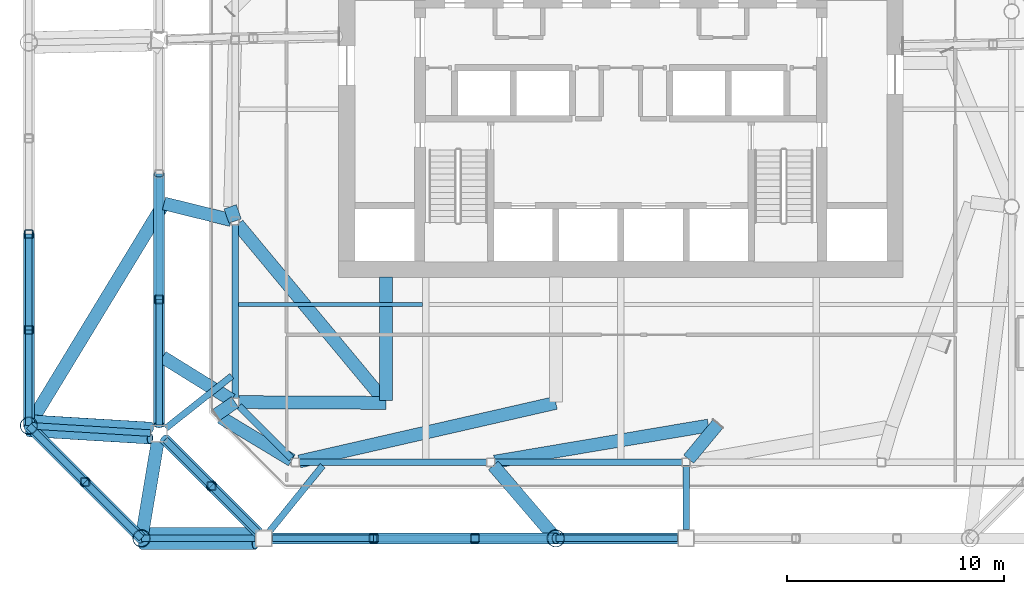
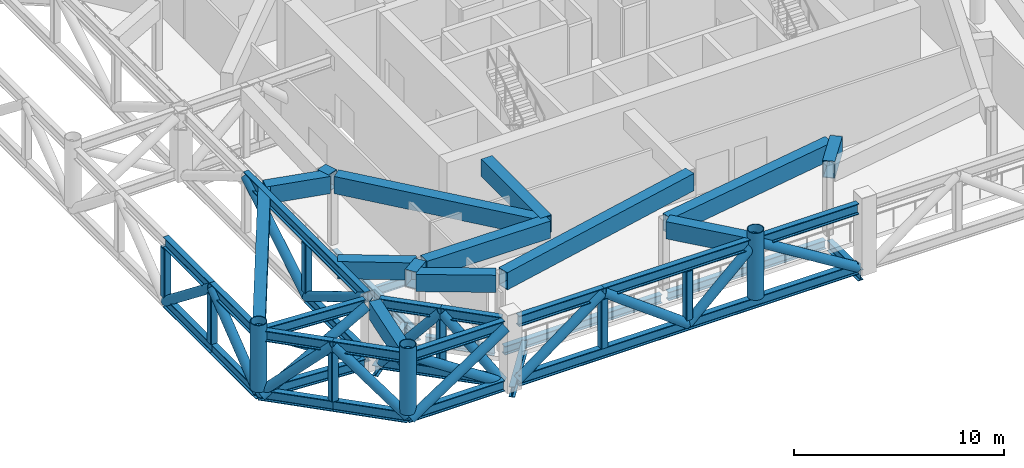
# One storey, part 3 of 21: 44 beams, 26 members.
"""IFC4 building model written with IfcOpenShell, lengths in metres."""

from ifc_helpers import new_model, si_unit, direction, frame, origin, origin_2d, place, context, subcontext, project, spatial, hollow_rectangle, hollow_circle, i_section, extrude, material, material_profile, profile_set, type_object, element, save


model = new_model("IFC4")

# Units and contexts
model_context = context("Model", 3, precision=1e-05, world=origin(), true_north=direction((0.0, 1.0)))
body_context = subcontext(model_context, "Body", "Model", "MODEL_VIEW")
ifc_project = project(units=[si_unit("LENGTHUNIT", "METRE"), si_unit("AREAUNIT", "SQUARE_METRE"), si_unit("VOLUMEUNIT", "CUBIC_METRE"), si_unit("PLANEANGLEUNIT", "RADIAN"), si_unit("MASSUNIT", "GRAM", prefix="KILO")], contexts=[model_context])

# Site, building, storey
site_placement = place(None, origin())
site = spatial("IfcSite", under=ifc_project, at=site_placement, CompositionType="ELEMENT")
building_placement = place(site_placement, origin())
building = spatial("IfcBuilding", under=site, at=building_placement, Name="Tskaro Facet Tower", CompositionType="ELEMENT")
storey_placement = place(building_placement, frame((0.0, 0.0, 167.699951171875)))
storey = spatial("IfcBuildingStorey", under=building, at=storey_placement, Name="L41", CompositionType="ELEMENT", Elevation=167.699951171875)

# Beams
ifc_material_1 = material(Name="Steel S355J2", Category="steel")
ifc_material_profile_1 = material_profile(ifc_material_1, hollow_rectangle(XDim=0.60009765625, YDim=1.0, WallThickness=0.0400390625, at=origin_2d()), Name="BOX 600x1000x40")
ifc_profile_set_1 = profile_set([ifc_material_profile_1], Name="Steel S355J2")
beam_type_1 = type_object("IfcBeamType", Name="BOX 600x1000x40 transfer girder", PredefinedType="BEAM", material=ifc_profile_set_1)
beam_1_placement = place(storey_placement, frame((-18.0, -9.0, 3.580078125), z_axis=(0.325384184605, -0.945581901481, 0.0), x_axis=(0.945581901481, 0.325384184605, 0.0)))
element("IfcBeam", 1, at=beam_1_placement, inside=storey, type_object=beam_type_1, Name="BOX 600x1000x40 TG4-4", PredefinedType="BEAM", context=body_context, shape_type="SweptSolid", body=[
    extrude(hollow_rectangle(XDim=0.60009765625, YDim=1.0, WallThickness=0.0400390625, at=origin_2d()), origin(), (0.0, 0.0, 1.0), 0.69482421875),
])
beam_2_placement = place(storey_placement, frame((-18.633056640625, -18.5830078125, 3.580078125), z_axis=(0.827027027027, 0.562162162162, 0.0), x_axis=(-0.562162162162, 0.827027027027, 0.0)))
element("IfcBeam", 2, at=beam_2_placement, inside=storey, type_object=beam_type_1, Name="BOX 600x1000x40 TG4-6", PredefinedType="BEAM", context=body_context, shape_type="SweptSolid", body=[
    extrude(hollow_rectangle(XDim=0.60009765625, YDim=1.0, WallThickness=0.0400390625, at=origin_2d()), origin(), (0.0, 0.0, 1.0), 1.038818359375),
])
beam_3_placement = place(storey_placement, frame((-18.427490234375, -18.70703125, 3.580078125), z_axis=(0.856423417, -0.516274084973, 0.0), x_axis=(0.516274084973, 0.856423417, 0.0)))
element("IfcBeam", 3, at=beam_3_placement, inside=storey, type_object=beam_type_1, Name="BOX 600x1000x40 TG4-7", PredefinedType="BEAM", context=body_context, shape_type="SweptSolid", body=[
    extrude(hollow_rectangle(XDim=0.60009765625, YDim=1.0, WallThickness=0.0400390625, at=origin_2d()), origin(), (0.0, 0.0, 1.0), 3.8134765625),
])
beam_4_placement = place(storey_placement, frame((4.4658203125, -19.00634765625, 3.580078125), z_axis=(-0.638324143551, -0.769767684279, 0.0), x_axis=(0.769767684279, -0.638324143551, 0.0)))
element("IfcBeam", 4, at=beam_4_placement, inside=storey, type_object=beam_type_1, Name="BOX 600x1000x40 TG4-18", PredefinedType="BEAM", context=body_context, shape_type="SweptSolid", body=[
    extrude(hollow_rectangle(XDim=0.60009765625, YDim=1.0, WallThickness=0.0400390625, at=origin_2d()), origin(), (0.0, 0.0, 1.0), 2.106201171875),
])
beam_5_placement = place(storey_placement, frame((4.031982421875, -19.07958984375, 3.580078125), z_axis=(-0.986033382448, -0.16654779704, 0.0), x_axis=(0.16654779704, -0.986033382448, 0.0)))
element("IfcBeam", 5, at=beam_5_placement, inside=storey, type_object=beam_type_1, Name="BOX 600x1000x40 TG4-19", PredefinedType="BEAM", context=body_context, shape_type="SweptSolid", body=[
    extrude(hollow_rectangle(XDim=0.60009765625, YDim=1.0, WallThickness=0.0400390625, at=origin_2d()), origin(), (0.0, 0.0, 1.0), 9.984130859375),
])
beam_6_placement = place(storey_placement, frame((-3.0, -18.032958984375, 3.580078125), z_axis=(-0.974886257594, -0.222703355958, 0.0), x_axis=(0.222703355958, -0.974886257594, 0.0)))
element("IfcBeam", 6, at=beam_6_placement, inside=storey, type_object=beam_type_1, Name="BOX 600x1000x40 TG4-28", PredefinedType="BEAM", context=body_context, shape_type="SweptSolid", body=[
    extrude(hollow_rectangle(XDim=0.60009765625, YDim=1.0, WallThickness=0.0400390625, at=origin_2d()), origin(), (0.0, 0.0, 1.0), 12.1181640625),
])
beam_7_placement = place(storey_placement, frame((-21.11572265625, -15.923095703125, 3.580078125), z_axis=(0.849456750522, -0.52765825019, 0.0), x_axis=(0.52765825019, 0.849456750522, 0.0)))
element("IfcBeam", 7, at=beam_7_placement, inside=storey, type_object=beam_type_1, Name="BOX 600x1000x40 TG4-30", PredefinedType="BEAM", context=body_context, shape_type="SweptSolid", body=[
    extrude(hollow_rectangle(XDim=0.60009765625, YDim=1.0, WallThickness=0.0400390625, at=origin_2d()), origin(), (0.0, 0.0, 1.0), 3.744140625),
])
beam_8_placement = place(storey_placement, frame((-21.049072265625, -8.84521484375, 3.580078125), z_axis=(0.970623178252, -0.240604750245, 0.0), x_axis=(0.240604750245, 0.970623178252, 0.0)))
element("IfcBeam", 8, at=beam_8_placement, inside=storey, type_object=beam_type_1, Name="BOX 600x1000x40 TG4-34", PredefinedType="BEAM", context=body_context, shape_type="SweptSolid", body=[
    extrude(hollow_rectangle(XDim=0.60009765625, YDim=1.0, WallThickness=0.0400390625, at=origin_2d()), origin(), (0.0, 0.0, 1.0), 3.18408203125),
])
beam_9_placement = place(storey_placement, frame((-3.0, -24.27587890625, 3.580078125), z_axis=(-0.650591262878, 0.759428079983, 0.0), x_axis=(-0.759428079983, -0.650591262878, 0.0)))
element("IfcBeam", 9, at=beam_9_placement, inside=storey, type_object=beam_type_1, Name="BOX 600x1000x40 TG4-39", PredefinedType="BEAM", context=body_context, shape_type="SweptSolid", body=[
    extrude(hollow_rectangle(XDim=0.60009765625, YDim=1.0, WallThickness=0.0400390625, at=origin_2d()), origin(), (0.0, 0.0, 1.0), 4.42138671875),
])
beam_10_placement = place(storey_placement, frame((-10.81591796875, -18.032958984375, 3.580078125), z_axis=(-0.999988142839, 0.004869720774, 0.0), x_axis=(-0.004869720774, -0.999988142839, 0.0)))
element("IfcBeam", 10, at=beam_10_placement, inside=storey, type_object=beam_type_1, Name="BOX 600x1000x40 TG4-40", PredefinedType="BEAM", context=body_context, shape_type="SweptSolid", body=[
    extrude(hollow_rectangle(XDim=0.60009765625, YDim=1.0, WallThickness=0.0400390625, at=origin_2d()), origin(), (0.0, 0.0, 1.0), 6.76806640625),
])
beam_11_placement = place(storey_placement, frame((-11.033203125, -17.771484375, 3.580078125), z_axis=(-0.638996740209, 0.769209442221, 0.0), x_axis=(-0.769209442221, -0.638996740209, 0.0)))
element("IfcBeam", 11, at=beam_11_placement, inside=storey, type_object=beam_type_1, Name="BOX 600x1000x40 TG4-41", PredefinedType="BEAM", context=body_context, shape_type="SweptSolid", body=[
    extrude(hollow_rectangle(XDim=0.60009765625, YDim=1.0, WallThickness=0.0400390625, at=origin_2d()), origin(), (0.0, 0.0, 1.0), 10.359130859375),
])
beam_12_placement = place(storey_placement, frame((-10.81591796875, -17.9130859375, 3.580078125), z_axis=(0.0, 1.0, 0.0), x_axis=(-1.0, 0.0, 0.0)))
element("IfcBeam", 12, at=beam_12_placement, inside=storey, type_object=beam_type_1, Name="BOX 600x1000x40 TG4-42", PredefinedType="BEAM", context=body_context, shape_type="SweptSolid", body=[
    extrude(hollow_rectangle(XDim=0.60009765625, YDim=1.0, WallThickness=0.0400390625, at=origin_2d()), origin(), (0.0, 0.0, 1.0), 5.673095703125),
])
beam_13_placement = place(storey_placement, frame((-22.0849609375, -24.27587890625, 3.580078125), z_axis=(0.165304471139, 0.986242582645, 0.0), x_axis=(-0.986242582645, 0.165304471139, 0.0)))
element("IfcBeam", 13, at=beam_13_placement, inside=storey, type_object=beam_type_1, Name="BOX 600x1000x40 TG4-44", PredefinedType="BEAM", context=body_context, shape_type="SweptSolid", body=[
    extrude(hollow_rectangle(XDim=0.60009765625, YDim=1.0, WallThickness=0.0400390625, at=origin_2d()), origin(), (0.0, 0.0, 1.0), 4.503173828125),
])
beam_14_placement = place(storey_placement, frame((-27.27587890625, -19.0849609375, 3.580078125), z_axis=(0.519578588263, 0.854422665089, 0.0), x_axis=(-0.854422665089, 0.519578588263, 0.0)))
element("IfcBeam", 14, at=beam_14_placement, inside=storey, type_object=beam_type_1, Name="BOX 600x1000x40 TG4-49", PredefinedType="BEAM", context=body_context, shape_type="SweptSolid", body=[
    extrude(hollow_rectangle(XDim=0.60009765625, YDim=1.0, WallThickness=0.0400390625, at=origin_2d()), origin(), (0.0, 0.0, 1.0), 11.9443359375),
])

# Members
ifc_material_2 = material(Name="Steel S355J2H", Category="steel")
ifc_material_profile_2 = material_profile(ifc_material_2, hollow_circle(Radius=0.25390625, WallThickness=0.02490234375, at=origin_2d()), Name="CHS 508x25")
ifc_profile_set_2 = profile_set([ifc_material_profile_2], Name="Steel S355J2H")
member_type_1 = type_object("IfcMemberType", Name="CHS 508x25 belt diagonal", PredefinedType="BRACE", material=ifc_profile_set_2)
member_1_placement = place(storey_placement, frame((-16.050048828125, -24.27587890625, 0.31005859375), z_axis=(0.803047397488, 0.0, 0.595915159556), x_axis=(0.0, 1.0, 0.0)))
element("IfcMember", 15, at=member_1_placement, inside=storey, type_object=member_type_1, Name="CHS 508x25 BD3-011", PredefinedType="BRACE", context=body_context, shape_type="SweptSolid", body=[
    extrude(hollow_circle(Radius=0.25390625, WallThickness=0.02490234375, at=origin_2d()), origin(), (0.0, 0.0, 1.0), 5.80615234375),
])
member_2_placement = place(storey_placement, frame((-11.387451171875, -24.27587890625, 3.77001953125), z_axis=(0.803032464588, 0.0, -0.595935282408), x_axis=(0.0, 1.0, 0.0)))
element("IfcMember", 16, at=member_2_placement, inside=storey, type_object=member_type_1, Name="CHS 508x25 BD3-012", PredefinedType="BRACE", context=body_context, shape_type="SweptSolid", body=[
    extrude(hollow_circle(Radius=0.25390625, WallThickness=0.02490234375, at=origin_2d()), origin(), (0.0, 0.0, 1.0), 5.805908203125),
])
member_3_placement = place(storey_placement, frame((-6.72509765625, -24.27587890625, 0.31005859375), z_axis=(0.732701127094, 0.0, 0.680550555327), x_axis=(0.0, 1.0, 0.0)))
element("IfcMember", 17, at=member_3_placement, inside=storey, type_object=member_type_1, Name="CHS 508x25 BD3-013", PredefinedType="BRACE", context=body_context, shape_type="SweptSolid", body=[
    extrude(hollow_circle(Radius=0.25390625, WallThickness=0.02490234375, at=origin_2d()), origin(), (0.0, 0.0, 1.0), 5.083984375),
])
member_4_placement = place(storey_placement, frame((-3.0, -24.27587890625, 3.77001953125), z_axis=(0.850724834926, 0.0, -0.525611315746), x_axis=(0.0, 1.0, 0.0)))
element("IfcMember", 18, at=member_4_placement, inside=storey, type_object=member_type_1, Name="CHS 508x25 BD3-014", PredefinedType="BRACE", context=body_context, shape_type="SweptSolid", body=[
    extrude(hollow_circle(Radius=0.25390625, WallThickness=0.02490234375, at=origin_2d()), origin(), (0.0, 0.0, 1.0), 6.582763671875),
])
for number, where, z_axis, x_axis, name in (
    (19, (-21.27587890625, -7.493896484375, 3.77001953125), (0.0, -0.857943596713, -0.513743890337), (1.0, 0.0, 0.0), "CHS 508x25 BD3-112"),
    (20, (-21.27587890625, -13.27197265625, 0.31005859375), (0.0, -0.857943596713, 0.513743890337), (1.0, 0.0, 0.0), "CHS 508x25 BD3-113"),
):
    element("IfcMember", number, at=place(storey_placement, frame(where, z_axis=z_axis, x_axis=x_axis)), inside=storey, type_object=member_type_1, Name=name, PredefinedType="BRACE", context=body_context, shape_type="SweptSolid", body=[
        extrude(hollow_circle(Radius=0.25390625, WallThickness=0.02490234375, at=origin_2d()), origin(), (0.0, 0.0, 1.0), 6.73486328125),
    ])
for number, where, z_axis, x_axis, name in (
    (21, (-20.9931640625, -19.73291015625, 0.31005859375), (0.464321211448, -0.464321211448, 0.754196012452), (0.707106781187, 0.707106781187, 0.0), "CHS 508x25 BD3-121"),
    (22, (-18.863037109375, -21.863037109375, 3.77001953125), (0.464321211448, -0.464321211448, -0.754196012452), (0.707106781187, 0.707106781187, 0.0), "CHS 508x25 BD3-122"),
):
    element("IfcMember", number, at=place(storey_placement, frame(where, z_axis=z_axis, x_axis=x_axis)), inside=storey, type_object=member_type_1, Name=name, PredefinedType="BRACE", context=body_context, shape_type="SweptSolid", body=[
        extrude(hollow_circle(Radius=0.25390625, WallThickness=0.02490234375, at=origin_2d()), origin(), (0.0, 0.0, 1.0), 4.587646484375),
    ])
for number, where, z_axis, x_axis, name in (
    (23, (-27.27587890625, -10.259521484375, 0.31005859375), (0.0, -0.78694792511, 0.617019418791), (1.0, 0.0, 0.0), "CHS 508x25 TB3-11-D3"),
    (24, (-27.27587890625, -14.67236328125, 3.77001953125), (0.0, -0.786931348807, -0.61704055966), (1.0, 0.0, 0.0), "CHS 508x25 TB3-11-D4"),
):
    element("IfcMember", number, at=place(storey_placement, frame(where, z_axis=z_axis, x_axis=x_axis)), inside=storey, type_object=member_type_1, Name=name, PredefinedType="BRACE", context=body_context, shape_type="SweptSolid", body=[
        extrude(hollow_circle(Radius=0.25390625, WallThickness=0.02490234375, at=origin_2d()), origin(), (0.0, 0.0, 1.0), 5.607421875),
    ])
for number, where, z_axis, x_axis, name in (
    (25, (-27.27587890625, -19.0849609375, 0.31005859375), (0.51454130618, -0.51454130618, 0.685926008013), (0.707106781187, 0.707106781187, 0.0), "CHS 508x25 TB3-12-D1"),
    (26, (-24.680419921875, -21.680419921875, 3.77001953125), (0.51454130618, -0.51454130618, -0.685926008013), (0.707106781187, 0.707106781187, 0.0), "CHS 508x25 TB3-12-D2"),
):
    element("IfcMember", number, at=place(storey_placement, frame(where, z_axis=z_axis, x_axis=x_axis)), inside=storey, type_object=member_type_1, Name=name, PredefinedType="BRACE", context=body_context, shape_type="SweptSolid", body=[
        extrude(hollow_circle(Radius=0.25390625, WallThickness=0.02490234375, at=origin_2d()), origin(), (0.0, 0.0, 1.0), 5.044189453125),
    ])
for number, where, z_axis, x_axis, name in (
    (27, (-16.85009765625, -24.02197265625, 0.31005859375), (-0.834246475502, 0.0, 0.551391710233), (0.0, -1.0, 0.0), "CHS 508x25 TL3-01A-D1"),
    (28, (-16.85009765625, -24.530029296875, 3.77001953125), (-0.834246475502, 0.0, -0.551391710233), (0.0, -1.0, 0.0), "CHS 508x25 TL3-01A-D2"),
):
    element("IfcMember", number, at=place(storey_placement, frame(where, z_axis=z_axis, x_axis=x_axis)), inside=storey, type_object=member_type_1, Name=name, PredefinedType="BRACE", context=body_context, shape_type="SweptSolid", body=[
        extrude(hollow_circle(Radius=0.25390625, WallThickness=0.02490234375, at=origin_2d()), origin(), (0.0, 0.0, 1.0), 6.27490234375),
    ])
member_5_placement = place(storey_placement, frame((-21.659912109375, -19.172119140625, 0.31005859375), z_axis=(-0.849609112808, 0.051665419022, 0.524876213893), x_axis=(-0.060698683883, -0.998156134968, 0.0)))
element("IfcMember", 29, at=member_5_placement, inside=storey, type_object=member_type_1, Name="CHS 508x25 TL3-12A-D1", PredefinedType="BRACE", context=body_context, shape_type="SweptSolid", body=[
    extrude(hollow_circle(Radius=0.25390625, WallThickness=0.02490234375, at=origin_2d()), origin(), (0.0, 0.0, 1.0), 6.592041015625),
])
member_6_placement = place(storey_placement, frame((-21.690673828125, -19.67919921875, 3.77001953125), z_axis=(-0.849619414456, 0.051663793347, -0.52485969843), x_axis=(-0.06069604777, -0.998156295269, 0.0)))
element("IfcMember", 30, at=member_6_placement, inside=storey, type_object=member_type_1, Name="CHS 508x25 TL3-12A-D2", PredefinedType="BRACE", context=body_context, shape_type="SweptSolid", body=[
    extrude(hollow_circle(Radius=0.25390625, WallThickness=0.02490234375, at=origin_2d()), origin(), (0.0, 0.0, 1.0), 6.59228515625),
])
ifc_material_profile_3 = material_profile(ifc_material_2, hollow_circle(Radius=0.406494140625, WallThickness=0.035888671875, at=origin_2d()), Name="CHS 812.8x36")
ifc_profile_set_3 = profile_set([ifc_material_profile_3], Name="Steel S355J2H")
member_type_2 = type_object("IfcMemberType", Name="CHS 812.8x36 transfer node post", PredefinedType="POST", material=ifc_profile_set_3)
for number, where, z_axis, x_axis, name in (
    (31, (-22.0849609375, -24.27587890625, 0.6201171875), (0.0, 0.0, 1.0), (1.0, 0.0, 0.0), "CHS 812.8x36 TN3-01"),
    (32, (-3.0, -24.27587890625, 0.6201171875), (0.0, 0.0, 1.0), (1.0, 0.0, 0.0), "CHS 812.8x36 TN3-02"),
    (33, (-27.27587890625, -19.0849609375, 0.6201171875), (0.0, 0.0, 1.0), (1.0, 0.0, 0.0), "CHS 812.8x36 TN3-12"),
):
    element("IfcMember", number, at=place(storey_placement, frame(where, z_axis=z_axis, x_axis=x_axis)), inside=storey, type_object=member_type_2, Name=name, PredefinedType="POST", context=body_context, shape_type="SweptSolid", body=[
        extrude(hollow_circle(Radius=0.406494140625, WallThickness=0.035888671875, at=origin_2d()), origin(), (0.0, 0.0, 1.0), 3.8798828125),
    ])

# Beams
ifc_material_profile_4 = material_profile(ifc_material_1, i_section(OverallWidth=0.300048828125, OverallDepth=0.5, WebThickness=0.014404296875, FlangeThickness=0.028076171875, FilletRadius=0.027099609375, at=origin_2d()), Name="HE 500 B")
ifc_profile_set_4 = profile_set([ifc_material_profile_4], Name="Steel S355J2")
beam_type_2 = type_object("IfcBeamType", Name="HE 500 B ring beam", PredefinedType="BEAM", material=ifc_profile_set_4)
beam_15_placement = place(storey_placement, frame((-14.819091796875, -20.77392578125, -0.5), z_axis=(1.0, 0.0, 0.0), x_axis=(0.0, 1.0, 0.0)))
element("IfcBeam", 34, at=beam_15_placement, inside=storey, type_object=beam_type_2, Name="HE 500 B EB1-3", PredefinedType="BEAM", context=body_context, shape_type="SweptSolid", body=[
    extrude(i_section(OverallWidth=0.300048828125, OverallDepth=0.5, WebThickness=0.014404296875, FlangeThickness=0.028076171875, FilletRadius=0.027099609375, at=origin_2d()), origin(), (0.0, 0.0, 1.0), 8.63916015625),
])
beam_16_placement = place(storey_placement, frame((-5.820068359375, -20.77392578125, -0.5), z_axis=(1.0, 0.0, 0.0), x_axis=(0.0, 1.0, 0.0)))
element("IfcBeam", 35, at=beam_16_placement, inside=storey, type_object=beam_type_2, Name="HE 500 B EB2-3", PredefinedType="BEAM", context=body_context, shape_type="SweptSolid", body=[
    extrude(i_section(OverallWidth=0.300048828125, OverallDepth=0.5, WebThickness=0.014404296875, FlangeThickness=0.028076171875, FilletRadius=0.027099609375, at=origin_2d()), origin(), (0.0, 0.0, 1.0), 8.64013671875),
])
beam_17_placement = place(storey_placement, frame((-17.77392578125, -9.8369140625, -0.5), z_axis=(0.0, -1.0, 0.0), x_axis=(1.0, 0.0, 0.0)))
element("IfcBeam", 36, at=beam_17_placement, inside=storey, type_object=beam_type_2, Name="HE 500 B EB19-3", PredefinedType="BEAM", context=body_context, shape_type="SweptSolid", body=[
    extrude(i_section(OverallWidth=0.300048828125, OverallDepth=0.5, WebThickness=0.014404296875, FlangeThickness=0.028076171875, FilletRadius=0.027099609375, at=origin_2d()), origin(), (0.0, 0.0, 1.0), 7.982177734375),
])
beam_18_placement = place(storey_placement, frame((-17.588134765625, -18.184814453125, -0.5), z_axis=(0.707106781187, -0.707106781187, 0.0), x_axis=(0.707106781187, 0.707106781187, 0.0)))
element("IfcBeam", 37, at=beam_18_placement, inside=storey, type_object=beam_type_2, Name="HE 500 B EB20-3", PredefinedType="BEAM", context=body_context, shape_type="SweptSolid", body=[
    extrude(i_section(OverallWidth=0.300048828125, OverallDepth=0.5, WebThickness=0.014404296875, FlangeThickness=0.028076171875, FilletRadius=0.027099609375, at=origin_2d()), origin(), (0.0, 0.0, 1.0), 3.39892578125),
])
ifc_material_profile_5 = material_profile(ifc_material_1, i_section(OverallWidth=0.300048828125, OverallDepth=0.60009765625, WebThickness=0.015380859375, FlangeThickness=0.030029296875, FilletRadius=0.027099609375, at=origin_2d()), Name="HE 600 B")
ifc_profile_set_5 = profile_set([ifc_material_profile_5], Name="Steel S355J2")
beam_type_3 = type_object("IfcBeamType", Name="HE 600 B floor strut", PredefinedType="BEAM", material=ifc_profile_set_5)
beam_19_placement = place(storey_placement, frame((-16.198486328125, -23.965087890625, -0.550048828125), z_axis=(0.629068959222, 0.77734949961, 0.0), x_axis=(-0.77734949961, 0.629068959222, 0.0)))
element("IfcBeam", 38, at=beam_19_placement, inside=storey, type_object=beam_type_3, Name="HE 600 B ES3-01", PredefinedType="BEAM", context=body_context, shape_type="SweptSolid", body=[
    extrude(i_section(OverallWidth=0.300048828125, OverallDepth=0.60009765625, WebThickness=0.015380859375, FlangeThickness=0.030029296875, FilletRadius=0.027099609375, at=origin_2d()), origin(), (0.0, 0.0, 1.0), 3.912109375),
])
beam_20_placement = place(storey_placement, frame((3.0, -23.8759765625, -0.550048828125), z_axis=(0.0, 1.0, 0.0), x_axis=(-1.0, 0.0, 0.0)))
element("IfcBeam", 39, at=beam_20_placement, inside=storey, type_object=beam_type_3, Name="HE 600 B ES3-02", PredefinedType="BEAM", context=body_context, shape_type="SweptSolid", body=[
    extrude(i_section(OverallWidth=0.300048828125, OverallDepth=0.60009765625, WebThickness=0.015380859375, FlangeThickness=0.030029296875, FilletRadius=0.027099609375, at=origin_2d()), origin(), (0.0, 0.0, 1.0), 2.951904296875),
])
beam_21_placement = place(storey_placement, frame((-20.96240234375, -19.201904296875, -0.550048828125), z_axis=(0.784177411315, 0.62053669318, 0.0), x_axis=(-0.62053669318, 0.784177411315, 0.0)))
element("IfcBeam", 40, at=beam_21_placement, inside=storey, type_object=beam_type_3, Name="HE 600 B ES3-12", PredefinedType="BEAM", context=body_context, shape_type="SweptSolid", body=[
    extrude(i_section(OverallWidth=0.300048828125, OverallDepth=0.60009765625, WebThickness=0.015380859375, FlangeThickness=0.030029296875, FilletRadius=0.027099609375, at=origin_2d()), origin(), (0.0, 0.0, 1.0), 3.87451171875),
])
ifc_material_profile_6 = material_profile(ifc_material_1, i_section(OverallWidth=0.304931640625, OverallDepth=0.6201171875, WebThickness=0.02099609375, FlangeThickness=0.0400390625, FilletRadius=0.027099609375, at=origin_2d()), Name="HE 600 M")
ifc_profile_set_6 = profile_set([ifc_material_profile_6], Name="Steel S355J2")
beam_type_4 = type_object("IfcBeamType", Name="HE 600 M belt chord", PredefinedType="BEAM", material=ifc_profile_set_6)
beam_22_placement = place(storey_placement, frame((-16.050048828125, -24.27587890625, 3.77001953125), z_axis=(1.0, 0.0, 0.0), x_axis=(0.0, 1.0, 0.0)))
element("IfcBeam", 41, at=beam_22_placement, inside=storey, type_object=beam_type_4, Name="HE 600 M BT3-01T1", PredefinedType="BEAM", context=body_context, shape_type="SweptSolid", body=[
    extrude(i_section(OverallWidth=0.304931640625, OverallDepth=0.6201171875, WebThickness=0.02099609375, FlangeThickness=0.0400390625, FilletRadius=0.027099609375, at=origin_2d()), origin(), (0.0, 0.0, 1.0), 4.66259765625),
])
beam_23_placement = place(storey_placement, frame((-11.387451171875, -24.27587890625, 3.77001953125), z_axis=(1.0, 0.0, 0.0), x_axis=(0.0, 1.0, 0.0)))
element("IfcBeam", 42, at=beam_23_placement, inside=storey, type_object=beam_type_4, Name="HE 600 M BT3-01T2", PredefinedType="BEAM", context=body_context, shape_type="SweptSolid", body=[
    extrude(i_section(OverallWidth=0.304931640625, OverallDepth=0.6201171875, WebThickness=0.02099609375, FlangeThickness=0.0400390625, FilletRadius=0.027099609375, at=origin_2d()), origin(), (0.0, 0.0, 1.0), 8.387451171875),
])
beam_24_placement = place(storey_placement, frame((-3.0, -24.27587890625, 3.77001953125), z_axis=(1.0, 0.0, 0.0), x_axis=(0.0, 1.0, 0.0)))
element("IfcBeam", 43, at=beam_24_placement, inside=storey, type_object=beam_type_4, Name="HE 600 M BT3-01T3", PredefinedType="BEAM", context=body_context, shape_type="SweptSolid", body=[
    extrude(i_section(OverallWidth=0.304931640625, OverallDepth=0.6201171875, WebThickness=0.02099609375, FlangeThickness=0.0400390625, FilletRadius=0.027099609375, at=origin_2d()), origin(), (0.0, 0.0, 1.0), 5.60009765625),
])
beam_25_placement = place(storey_placement, frame((-16.050048828125, -24.27587890625, 0.31005859375), z_axis=(1.0, 0.0, 0.0), x_axis=(0.0, 1.0, 0.0)))
element("IfcBeam", 44, at=beam_25_placement, inside=storey, type_object=beam_type_4, Name="HE 600 M BT3-01B1", PredefinedType="BEAM", context=body_context, shape_type="SweptSolid", body=[
    extrude(i_section(OverallWidth=0.304931640625, OverallDepth=0.6201171875, WebThickness=0.02099609375, FlangeThickness=0.0400390625, FilletRadius=0.027099609375, at=origin_2d()), origin(), (0.0, 0.0, 1.0), 9.324951171875),
])
beam_26_placement = place(storey_placement, frame((-6.72509765625, -24.27587890625, 0.31005859375), z_axis=(1.0, 0.0, 0.0), x_axis=(0.0, 1.0, 0.0)))
element("IfcBeam", 45, at=beam_26_placement, inside=storey, type_object=beam_type_4, Name="HE 600 M BT3-01B2", PredefinedType="BEAM", context=body_context, shape_type="SweptSolid", body=[
    extrude(i_section(OverallWidth=0.304931640625, OverallDepth=0.6201171875, WebThickness=0.02099609375, FlangeThickness=0.0400390625, FilletRadius=0.027099609375, at=origin_2d()), origin(), (0.0, 0.0, 1.0), 9.3251953125),
])
beam_27_placement = place(storey_placement, frame((-21.27587890625, -7.493896484375, 3.77001953125), z_axis=(0.0, -1.0, 0.0), x_axis=(1.0, 0.0, 0.0)))
element("IfcBeam", 46, at=beam_27_placement, inside=storey, type_object=beam_type_4, Name="HE 600 M BT3-11T2", PredefinedType="BEAM", context=body_context, shape_type="SweptSolid", body=[
    extrude(i_section(OverallWidth=0.304931640625, OverallDepth=0.6201171875, WebThickness=0.02099609375, FlangeThickness=0.0400390625, FilletRadius=0.027099609375, at=origin_2d()), origin(), (0.0, 0.0, 1.0), 11.55615234375),
])
beam_28_placement = place(storey_placement, frame((-21.27587890625, -13.27197265625, 0.31005859375), z_axis=(0.0, -1.0, 0.0), x_axis=(1.0, 0.0, 0.0)))
element("IfcBeam", 47, at=beam_28_placement, inside=storey, type_object=beam_type_4, Name="HE 600 M BT3-11B2", PredefinedType="BEAM", context=body_context, shape_type="SweptSolid", body=[
    extrude(i_section(OverallWidth=0.304931640625, OverallDepth=0.6201171875, WebThickness=0.02099609375, FlangeThickness=0.0400390625, FilletRadius=0.027099609375, at=origin_2d()), origin(), (0.0, 0.0, 1.0), 5.778076171875),
])
for number, where, z_axis, x_axis, name in (
    (48, (-20.9931640625, -19.73291015625, 3.77001953125), (0.707106781187, -0.707106781187, 0.0), (0.707106781187, 0.707106781187, 0.0), "HE 600 M BT3-12T1"),
    (49, (-18.863037109375, -21.863037109375, 3.77001953125), (0.707106781187, -0.707106781187, 0.0), (0.707106781187, 0.707106781187, 0.0), "HE 600 M BT3-12T2"),
):
    element("IfcBeam", number, at=place(storey_placement, frame(where, z_axis=z_axis, x_axis=x_axis)), inside=storey, type_object=beam_type_4, Name=name, PredefinedType="BEAM", context=body_context, shape_type="SweptSolid", body=[
        extrude(i_section(OverallWidth=0.304931640625, OverallDepth=0.6201171875, WebThickness=0.02099609375, FlangeThickness=0.0400390625, FilletRadius=0.027099609375, at=origin_2d()), origin(), (0.0, 0.0, 1.0), 3.012451171875),
    ])
beam_29_placement = place(storey_placement, frame((-20.9931640625, -19.73291015625, 0.31005859375), z_axis=(0.707106781187, -0.707106781187, 0.0), x_axis=(0.707106781187, 0.707106781187, 0.0)))
element("IfcBeam", 50, at=beam_29_placement, inside=storey, type_object=beam_type_4, Name="HE 600 M BT3-12B1", PredefinedType="BEAM", context=body_context, shape_type="SweptSolid", body=[
    extrude(i_section(OverallWidth=0.304931640625, OverallDepth=0.6201171875, WebThickness=0.02099609375, FlangeThickness=0.0400390625, FilletRadius=0.027099609375, at=origin_2d()), origin(), (0.0, 0.0, 1.0), 6.02490234375),
])
for number, where, z_axis, x_axis, name in (
    (51, (-27.27587890625, -10.259521484375, 3.77001953125), (0.0, -1.0, 0.0), (1.0, 0.0, 0.0), "HE 600 M TB3-11-T3"),
    (52, (-27.27587890625, -10.259521484375, 0.31005859375), (0.0, -1.0, 0.0), (1.0, 0.0, 0.0), "HE 600 M TB3-11-B3"),
):
    element("IfcBeam", number, at=place(storey_placement, frame(where, z_axis=z_axis, x_axis=x_axis)), inside=storey, type_object=beam_type_4, Name=name, PredefinedType="BEAM", context=body_context, shape_type="SweptSolid", body=[
        extrude(i_section(OverallWidth=0.304931640625, OverallDepth=0.6201171875, WebThickness=0.02099609375, FlangeThickness=0.0400390625, FilletRadius=0.027099609375, at=origin_2d()), origin(), (0.0, 0.0, 1.0), 4.412841796875),
    ])
for number, where, z_axis, x_axis, name in (
    (53, (-27.27587890625, -14.67236328125, 3.77001953125), (0.0, -1.0, 0.0), (1.0, 0.0, 0.0), "HE 600 M TB3-11-T4"),
    (54, (-27.27587890625, -14.67236328125, 0.31005859375), (0.0, -1.0, 0.0), (1.0, 0.0, 0.0), "HE 600 M TB3-11-B4"),
):
    element("IfcBeam", number, at=place(storey_placement, frame(where, z_axis=z_axis, x_axis=x_axis)), inside=storey, type_object=beam_type_4, Name=name, PredefinedType="BEAM", context=body_context, shape_type="SweptSolid", body=[
        extrude(i_section(OverallWidth=0.304931640625, OverallDepth=0.6201171875, WebThickness=0.02099609375, FlangeThickness=0.0400390625, FilletRadius=0.027099609375, at=origin_2d()), origin(), (0.0, 0.0, 1.0), 4.41259765625),
    ])
for number, where, z_axis, x_axis, name in (
    (55, (-27.27587890625, -19.0849609375, 3.77001953125), (0.707106781187, -0.707106781187, 0.0), (0.707106781187, 0.707106781187, 0.0), "HE 600 M TB3-12-T1"),
    (56, (-27.27587890625, -19.0849609375, 0.31005859375), (0.707106781187, -0.707106781187, 0.0), (0.707106781187, 0.707106781187, 0.0), "HE 600 M TB3-12-B1"),
    (57, (-24.680419921875, -21.680419921875, 3.77001953125), (0.707106781187, -0.707106781187, 0.0), (0.707106781187, 0.707106781187, 0.0), "HE 600 M TB3-12-T2"),
    (58, (-24.680419921875, -21.680419921875, 0.31005859375), (0.707106781187, -0.707106781187, 0.0), (0.707106781187, 0.707106781187, 0.0), "HE 600 M TB3-12-B2"),
):
    element("IfcBeam", number, at=place(storey_placement, frame(where, z_axis=z_axis, x_axis=x_axis)), inside=storey, type_object=beam_type_4, Name=name, PredefinedType="BEAM", context=body_context, shape_type="SweptSolid", body=[
        extrude(i_section(OverallWidth=0.304931640625, OverallDepth=0.6201171875, WebThickness=0.02099609375, FlangeThickness=0.0400390625, FilletRadius=0.027099609375, at=origin_2d()), origin(), (0.0, 0.0, 1.0), 3.670654296875),
    ])
for number, where, z_axis, x_axis, name in (
    (59, (-16.85009765625, -24.27587890625, 3.77001953125), (-1.0, 0.0, 0.0), (0.0, -1.0, 0.0), "HE 600 M TL3-01A-T1"),
    (60, (-16.85009765625, -24.27587890625, 0.31005859375), (-1.0, 0.0, 0.0), (0.0, -1.0, 0.0), "HE 600 M TL3-01A-B1"),
):
    element("IfcBeam", number, at=place(storey_placement, frame(where, z_axis=z_axis, x_axis=x_axis)), inside=storey, type_object=beam_type_4, Name=name, PredefinedType="BEAM", context=body_context, shape_type="SweptSolid", body=[
        extrude(i_section(OverallWidth=0.304931640625, OverallDepth=0.6201171875, WebThickness=0.02099609375, FlangeThickness=0.0400390625, FilletRadius=0.027099609375, at=origin_2d()), origin(), (0.0, 0.0, 1.0), 5.23486328125),
    ])
for number, where, z_axis, x_axis, name in (
    (61, (-21.67529296875, -19.42578125, 3.77001953125), (-0.998153497807, 0.060742035002, 0.0), (-0.060742035002, -0.998153497807, 0.0), "HE 600 M TL3-12A-T1"),
    (62, (-21.67529296875, -19.42578125, 0.31005859375), (-0.998153497807, 0.060742035002, 0.0), (-0.060742035002, -0.998153497807, 0.0), "HE 600 M TL3-12A-B1"),
):
    element("IfcBeam", number, at=place(storey_placement, frame(where, z_axis=z_axis, x_axis=x_axis)), inside=storey, type_object=beam_type_4, Name=name, PredefinedType="BEAM", context=body_context, shape_type="SweptSolid", body=[
        extrude(i_section(OverallWidth=0.304931640625, OverallDepth=0.6201171875, WebThickness=0.02099609375, FlangeThickness=0.0400390625, FilletRadius=0.027099609375, at=origin_2d()), origin(), (0.0, 0.0, 1.0), 5.61083984375),
    ])
ifc_material_profile_7 = material_profile(ifc_material_1, i_section(OverallWidth=0.199951171875, OverallDepth=0.5, WebThickness=0.01025390625, FlangeThickness=0.01611328125, FilletRadius=0.02099609375, at=origin_2d()), Name="IPE 500")
ifc_profile_set_7 = profile_set([ifc_material_profile_7], Name="Steel S355J2")
beam_type_5 = type_object("IfcBeamType", Name="IPE 500 secondary beam", PredefinedType="BEAM", material=ifc_profile_set_7)
beam_30_placement = place(storey_placement, frame((-17.6240234375, -13.5, -0.5), z_axis=(1.0, 0.0, 0.0), x_axis=(0.0, 1.0, 0.0)))
element("IfcBeam", 63, at=beam_30_placement, inside=storey, type_object=beam_type_5, Name="IPE 500 SB2a-1-3", PredefinedType="BEAM", context=body_context, shape_type="SweptSolid", body=[
    extrude(i_section(OverallWidth=0.199951171875, OverallDepth=0.5, WebThickness=0.01025390625, FlangeThickness=0.01611328125, FilletRadius=0.02099609375, at=origin_2d()), origin(), (0.0, 0.0, 1.0), 8.47412109375),
])

# Members
ifc_material_profile_8 = material_profile(ifc_material_2, hollow_rectangle(XDim=0.39990234375, YDim=0.39990234375, WallThickness=0.02490234375, InnerFilletRadius=0.03759765625, OuterFilletRadius=0.0625, at=origin_2d()), Name="SHS 400x400x25")
ifc_profile_set_8 = profile_set([ifc_material_profile_8], Name="Steel S355J2H")
member_type_3 = type_object("IfcMemberType", Name="SHS 400x400x25 belt post", PredefinedType="POST", material=ifc_profile_set_8)
for number, where, z_axis, x_axis, name in (
    (64, (-11.387451171875, -24.27587890625, 0.6201171875), (0.0, 0.0, 1.0), (1.0, 0.0, 0.0), "SHS 400x400x25 BP3-011"),
    (65, (-6.72509765625, -24.27587890625, 0.6201171875), (0.0, 0.0, 1.0), (1.0, 0.0, 0.0), "SHS 400x400x25 BP3-012"),
    (66, (-21.27587890625, -13.27197265625, 0.6201171875), (0.0, 0.0, 1.0), (1.0, 0.0, 0.0), "SHS 400x400x25 BP3-112"),
    (67, (-18.863037109375, -21.863037109375, 0.6201171875), (0.0, 0.0, 1.0), (1.0, 0.0, 0.0), "SHS 400x400x25 BP3-121"),
    (68, (-27.27587890625, -10.259521484375, 0.6201171875), (0.0, 0.0, 1.0), (1.0, 0.0, 0.0), "SHS 400x400x25 TB3-11-P2"),
    (69, (-27.27587890625, -14.67236328125, 0.6201171875), (0.0, 0.0, 1.0), (1.0, 0.0, 0.0), "SHS 400x400x25 TB3-11-P3"),
    (70, (-24.680419921875, -21.680419921875, 0.6201171875), (0.0, 0.0, 1.0), (1.0, 0.0, 0.0), "SHS 400x400x25 TB3-12-P1"),
):
    element("IfcMember", number, at=place(storey_placement, frame(where, z_axis=z_axis, x_axis=x_axis)), inside=storey, type_object=member_type_3, Name=name, PredefinedType="POST", context=body_context, shape_type="SweptSolid", body=[
        extrude(hollow_rectangle(XDim=0.39990234375, YDim=0.39990234375, WallThickness=0.02490234375, InnerFilletRadius=0.03759765625, OuterFilletRadius=0.0625, at=origin_2d()), origin(), (0.0, 0.0, 1.0), 2.83984375),
    ])

save(model, "model.ifc")
